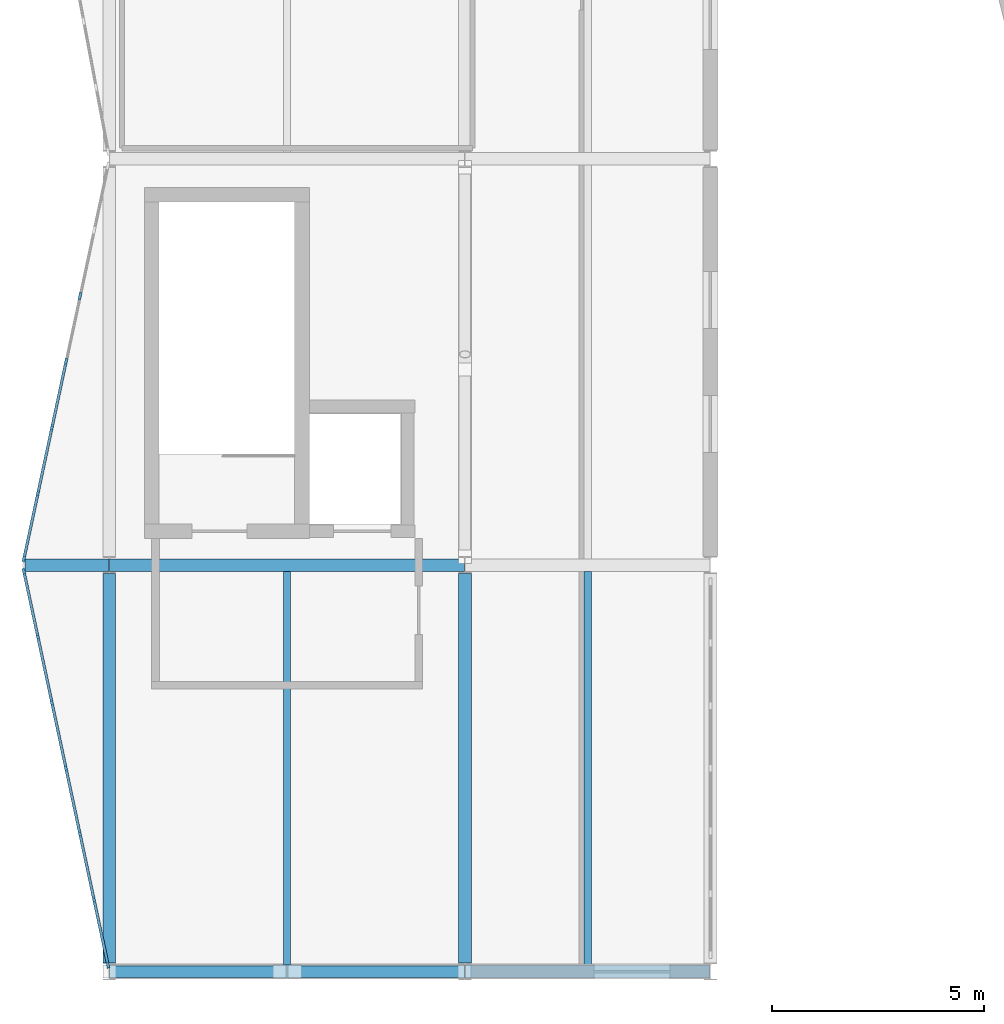
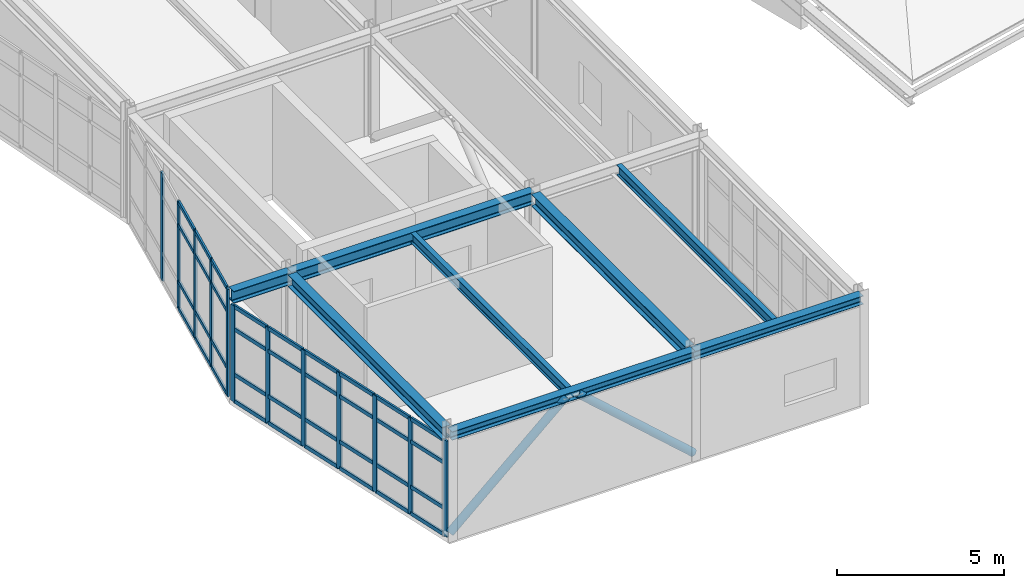
# One storey, part 6 of 47: 50 members, 8 beams, 2 elements without a shape of their own.
"""IFC4 building model written with IfcOpenShell, lengths in metres."""

from ifc_helpers import new_model, si_unit, direction, frame, origin, origin_2d, place, context, subcontext, project, spatial, rectangle, hollow_circle, i_section, extrude, material, layer, layer_set, material_profile, profile_set, type_object, element, aggregate, save


model = new_model("IFC4")

# Units and contexts
model_context = context("Model", 3, precision=1e-05, world=origin(), true_north=direction((0.0, 1.0)))
body_context = subcontext(model_context, "Body", "Model", "MODEL_VIEW")
ifc_project = project(units=[si_unit("LENGTHUNIT", "METRE"), si_unit("AREAUNIT", "SQUARE_METRE"), si_unit("VOLUMEUNIT", "CUBIC_METRE"), si_unit("PLANEANGLEUNIT", "RADIAN"), si_unit("MASSUNIT", "GRAM", prefix="KILO")], contexts=[model_context])

# Site, building, storey
site_placement = place(None, origin())
site = spatial("IfcSite", under=ifc_project, at=site_placement, CompositionType="ELEMENT")
building_placement = place(site_placement, origin())
building = spatial("IfcBuilding", under=site, at=building_placement, Name="Nordkorset Police Headquarters", CompositionType="ELEMENT")
storey_placement = place(building_placement, frame((0.0, 0.0, 22.050048828125)))
storey = spatial("IfcBuildingStorey", under=building, at=storey_placement, Name="L05", CompositionType="ELEMENT", Elevation=22.050048828125)

# Beams
ifc_material_1 = material(Name="Steel S355J2", Category="steel")
ifc_material_profile_1 = material_profile(ifc_material_1, i_section(OverallWidth=0.169921875, OverallDepth=0.360107421875, WebThickness=0.008056640625, FlangeThickness=0.0126953125, FilletRadius=0.01806640625, at=origin_2d()), Name="IPE 360")
ifc_profile_set_1 = profile_set([ifc_material_profile_1], Name="Steel S355J2")
beam_type_1 = type_object("IfcBeamType", Name="Beam_IPE_360", PredefinedType="BEAM", material=ifc_profile_set_1)
for number, where, z_axis, x_axis, name in (
    (1, (4.199951171875, 28.949951171875, 3.784912109375), (0.0, 1.0, 0.0), (-1.0, 0.0, 0.0), "Composite Floor Beam V3 L05 0-0-1"),
    (2, (11.300048828125, 28.949951171875, 3.784912109375), (0.0, 1.0, 0.0), (-1.0, 0.0, 0.0), "Composite Floor Beam V3 L05 1-0-1"),
):
    element("IfcBeam", number, at=place(storey_placement, frame(where, z_axis=z_axis, x_axis=x_axis)), inside=storey, type_object=beam_type_1, Name=name, PredefinedType="BEAM", context=body_context, shape_type="SweptSolid", body=[
        extrude(i_section(OverallWidth=0.169921875, OverallDepth=0.360107421875, WebThickness=0.008056640625, FlangeThickness=0.0126953125, FilletRadius=0.01806640625, at=origin_2d()), origin(), (0.0, 0.0, 1.0), 9.300048828125),
    ])

# Members
ifc_material_2 = material(Name="Steel S355J2", Category="steel")
ifc_material_profile_2 = material_profile(ifc_material_2, hollow_circle(Radius=0.136474609375, WallThickness=0.012451171875, at=origin_2d()), Name="CHS 273x12.5")
ifc_profile_set_2 = profile_set([ifc_material_profile_2], Name="Steel S355J2")
member_type_1 = type_object("IfcMemberType", Name="Brace_CHS_273x12.5", PredefinedType="BRACE", material=ifc_profile_set_2)
for number, where, z_axis, x_axis, name in (
    (3, (0.006591796875, 28.800048828125, 0.199951171875), (0.746246066893, 0.0, 0.66567019435), (0.0, 1.0, 0.0), "Lateral Chevron Brace BF-EXT-V3S L05 D1"),
    (4, (8.393310546875, 28.800048828125, 0.199951171875), (-0.746246066893, 0.0, 0.66567019435), (0.0, -1.0, 0.0), "Lateral Chevron Brace BF-EXT-V3S L05 D2"),
):
    element("IfcMember", number, at=place(storey_placement, frame(where, z_axis=z_axis, x_axis=x_axis)), inside=storey, type_object=member_type_1, Name=name, PredefinedType="BRACE", context=body_context, shape_type="SweptSolid", body=[
        extrude(hollow_circle(Radius=0.136474609375, WallThickness=0.012451171875, at=origin_2d()), origin(), (0.0, 0.0, 1.0), 5.378173828125),
    ])

# Curtain wall, members
ifc_material_3 = material(Name="Aluminium alloy AW-6060", Category="aluminium")
ifc_layer_1 = layer(ifc_material_3, 0.179931640625, Name="Aluminium alloy AW-6060")
ifc_layer_set_1 = layer_set([ifc_layer_1], Name="Aluminium alloy AW-6060")
curtain_wall_type_1 = type_object("IfcCurtainWallType", Name="CW_Unit_954x350", PredefinedType="USERDEFINED", material=ifc_layer_set_1)
curtain_wall_1_placement = place(storey_placement, origin())
curtain_wall_1 = element("IfcCurtainWall", 5, at=curtain_wall_1_placement, inside=storey, type_object=curtain_wall_type_1, Name="Unitised Curtain Wall L05 V3W-0", ObjectType="UNITISED CURTAIN WALL", PredefinedType="USERDEFINED")
ifc_material_4 = material(Name="Aluminium alloy AW-6060", Category="aluminium")
ifc_material_profile_3 = material_profile(ifc_material_4, rectangle(XDim=0.06494140625, YDim=0.179931640625, at=origin_2d()), Name="ALU MULL 65x180")
ifc_profile_set_3 = profile_set([ifc_material_profile_3], Name="Aluminium alloy AW-6060")
member_type_2 = type_object("IfcMemberType", Name="CW_Mullion_65x180", PredefinedType="MULLION", material=ifc_profile_set_3)
member_1_placement = place(storey_placement, frame((-0.0361328125, 28.96875, 0.0), z_axis=(0.0, 0.0, 1.0), x_axis=(-0.977951416289, -0.208832534289, 0.0)))
member_1 = element("IfcMember", 6, at=member_1_placement, type_object=member_type_2, Name="CW-63 mullion 1", PredefinedType="MULLION", context=body_context, shape_type="SweptSolid", body=[
    extrude(rectangle(XDim=0.06494140625, YDim=0.179931640625, at=origin_2d()), origin(), (0.0, 0.0, 1.0), 3.5048828125),
])
member_2_placement = place(storey_placement, frame((-0.361083984375, 30.4912109375, 0.0), z_axis=(0.0, 0.0, 1.0), x_axis=(-0.977951416289, -0.208832534289, 0.0)))
member_2 = element("IfcMember", 7, at=member_2_placement, type_object=member_type_2, Name="CW-63 mullion 2", PredefinedType="MULLION", context=body_context, shape_type="SweptSolid", body=[
    extrude(rectangle(XDim=0.06494140625, YDim=0.179931640625, at=origin_2d()), origin(), (0.0, 0.0, 1.0), 3.5048828125),
])
member_3_placement = place(storey_placement, frame((-0.693115234375, 32.045654296875, 0.0), z_axis=(0.0, 0.0, 1.0), x_axis=(-0.977951416289, -0.208832534289, 0.0)))
member_3 = element("IfcMember", 8, at=member_3_placement, type_object=member_type_2, Name="CW-63 mullion 3", PredefinedType="MULLION", context=body_context, shape_type="SweptSolid", body=[
    extrude(rectangle(XDim=0.06494140625, YDim=0.179931640625, at=origin_2d()), origin(), (0.0, 0.0, 1.0), 3.5048828125),
])
member_4_placement = place(storey_placement, frame((-1.02490234375, 33.60009765625, 0.0), z_axis=(0.0, 0.0, 1.0), x_axis=(-0.977951416289, -0.208832534289, 0.0)))
member_4 = element("IfcMember", 9, at=member_4_placement, type_object=member_type_2, Name="CW-63 mullion 4", PredefinedType="MULLION", context=body_context, shape_type="SweptSolid", body=[
    extrude(rectangle(XDim=0.06494140625, YDim=0.179931640625, at=origin_2d()), origin(), (0.0, 0.0, 1.0), 3.5048828125),
])
member_5_placement = place(storey_placement, frame((-1.35693359375, 35.154296875, 0.0), z_axis=(0.0, 0.0, 1.0), x_axis=(-0.977951416289, -0.208832534289, 0.0)))
member_5 = element("IfcMember", 10, at=member_5_placement, type_object=member_type_2, Name="CW-63 mullion 5", PredefinedType="MULLION", context=body_context, shape_type="SweptSolid", body=[
    extrude(rectangle(XDim=0.06494140625, YDim=0.179931640625, at=origin_2d()), origin(), (0.0, 0.0, 1.0), 3.5048828125),
])
member_6_placement = place(storey_placement, frame((-1.688720703125, 36.708740234375, 0.0), z_axis=(0.0, 0.0, 1.0), x_axis=(-0.977951416289, -0.208832534289, 0.0)))
member_6 = element("IfcMember", 11, at=member_6_placement, type_object=member_type_2, Name="CW-63 mullion 6", PredefinedType="MULLION", context=body_context, shape_type="SweptSolid", body=[
    extrude(rectangle(XDim=0.06494140625, YDim=0.179931640625, at=origin_2d()), origin(), (0.0, 0.0, 1.0), 3.5048828125),
])
member_7_placement = place(storey_placement, frame((-2.013916015625, 38.231201171875, 0.0), z_axis=(0.0, 0.0, 1.0), x_axis=(-0.977951416289, -0.208832534289, 0.0)))
member_7 = element("IfcMember", 12, at=member_7_placement, type_object=member_type_2, Name="CW-63 mullion 7", PredefinedType="MULLION", context=body_context, shape_type="SweptSolid", body=[
    extrude(rectangle(XDim=0.06494140625, YDim=0.179931640625, at=origin_2d()), origin(), (0.0, 0.0, 1.0), 3.5048828125),
])

ifc_material_5 = material(Name="Aluminium alloy AW-6060", Category="aluminium")
ifc_layer_2 = layer(ifc_material_5, 0.179931640625, Name="Aluminium alloy AW-6060")
ifc_layer_set_2 = layer_set([ifc_layer_2], Name="Aluminium alloy AW-6060")
curtain_wall_type_2 = type_object("IfcCurtainWallType", Name="CW_Unit_954x392", PredefinedType="USERDEFINED", material=ifc_layer_set_2)
curtain_wall_2_placement = place(storey_placement, origin())
curtain_wall_2 = element("IfcCurtainWall", 13, at=curtain_wall_2_placement, inside=storey, type_object=curtain_wall_type_2, Name="Unitised Curtain Wall L05 V3W-1", ObjectType="UNITISED CURTAIN WALL", PredefinedType="USERDEFINED")
member_8_placement = place(storey_placement, frame((-2.013916015625, 38.568603515625, 0.0), z_axis=(0.0, 0.0, 1.0), x_axis=(-0.977951416289, 0.208832534289, 0.0)))
member_8 = element("IfcMember", 14, at=member_8_placement, type_object=member_type_2, Name="CW-20 mullion 1", PredefinedType="MULLION", context=body_context, shape_type="SweptSolid", body=[
    extrude(rectangle(XDim=0.06494140625, YDim=0.179931640625, at=origin_2d()), origin(), (0.0, 0.0, 1.0), 3.919921875),
])
member_9_placement = place(storey_placement, frame((-1.688720703125, 40.09130859375, 0.0), z_axis=(0.0, 0.0, 1.0), x_axis=(-0.977951416289, 0.208832534289, 0.0)))
member_9 = element("IfcMember", 15, at=member_9_placement, type_object=member_type_2, Name="CW-20 mullion 2", PredefinedType="MULLION", context=body_context, shape_type="SweptSolid", body=[
    extrude(rectangle(XDim=0.06494140625, YDim=0.179931640625, at=origin_2d()), origin(), (0.0, 0.0, 1.0), 3.919921875),
])
member_10_placement = place(storey_placement, frame((-1.35693359375, 41.645751953125, 0.0), z_axis=(0.0, 0.0, 1.0), x_axis=(-0.977951416289, 0.208832534289, 0.0)))
member_10 = element("IfcMember", 16, at=member_10_placement, type_object=member_type_2, Name="CW-20 mullion 3", PredefinedType="MULLION", context=body_context, shape_type="SweptSolid", body=[
    extrude(rectangle(XDim=0.06494140625, YDim=0.179931640625, at=origin_2d()), origin(), (0.0, 0.0, 1.0), 3.919921875),
])
member_11_placement = place(storey_placement, frame((-1.02490234375, 43.199951171875, 0.0), z_axis=(0.0, 0.0, 1.0), x_axis=(-0.977951416289, 0.208832534289, 0.0)))
member_11 = element("IfcMember", 17, at=member_11_placement, type_object=member_type_2, Name="CW-20 mullion 4", PredefinedType="MULLION", context=body_context, shape_type="SweptSolid", body=[
    extrude(rectangle(XDim=0.06494140625, YDim=0.179931640625, at=origin_2d()), origin(), (0.0, 0.0, 1.0), 3.919921875),
])
member_12_placement = place(storey_placement, frame((-0.693115234375, 44.75439453125, 0.0), z_axis=(0.0, 0.0, 1.0), x_axis=(-0.977951416289, 0.208832534289, 0.0)))
member_12 = element("IfcMember", 18, at=member_12_placement, type_object=member_type_2, Name="CW-20 mullion 5", PredefinedType="MULLION", context=body_context, shape_type="SweptSolid", body=[
    extrude(rectangle(XDim=0.06494140625, YDim=0.179931640625, at=origin_2d()), origin(), (0.0, 0.0, 1.0), 3.919921875),
])

# Member
ifc_material_6 = material(Name="Aluminium alloy AW-6060", Category="aluminium")
ifc_material_profile_4 = material_profile(ifc_material_6, rectangle(XDim=0.06494140625, YDim=0.139892578125, at=origin_2d()), Name="ALU TRAN 65x140")
ifc_profile_set_4 = profile_set([ifc_material_profile_4], Name="Aluminium alloy AW-6060")
member_type_3 = type_object("IfcMemberType", Name="CW_Transom_65x140", PredefinedType="USERDEFINED", material=ifc_profile_set_4)
member_13_placement = place(storey_placement, frame((-0.042724609375, 29.00048828125, 0.032470703125), z_axis=(-0.208970278443, 0.977921992148, 0.0), x_axis=(-0.977921992148, -0.208970278443, 0.0)))
member_13 = element("IfcMember", 19, at=member_13_placement, type_object=member_type_3, Name="CW-63 transom 1.1", ObjectType="TRANSOM", PredefinedType="USERDEFINED", context=body_context, shape_type="SweptSolid", body=[
    extrude(rectangle(XDim=0.06494140625, YDim=0.139892578125, at=origin_2d()), origin(), (0.0, 0.0, 1.0), 1.491943359375),
])

member_14_placement = place(storey_placement, frame((-0.042724609375, 29.00048828125, 1.0), z_axis=(-0.208970278443, 0.977921992148, 0.0), x_axis=(-0.977921992148, -0.208970278443, 0.0)))
member_14 = element("IfcMember", 20, at=member_14_placement, type_object=member_type_3, Name="CW-63 transom 1.2", ObjectType="TRANSOM", PredefinedType="USERDEFINED", context=body_context, shape_type="SweptSolid", body=[
    extrude(rectangle(XDim=0.06494140625, YDim=0.139892578125, at=origin_2d()), origin(), (0.0, 0.0, 1.0), 1.491943359375),
])

member_15_placement = place(storey_placement, frame((-0.042724609375, 29.00048828125, 2.655029296875), z_axis=(-0.208970278443, 0.977921992148, 0.0), x_axis=(-0.977921992148, -0.208970278443, 0.0)))
member_15 = element("IfcMember", 21, at=member_15_placement, type_object=member_type_3, Name="CW-63 transom 1.3", ObjectType="TRANSOM", PredefinedType="USERDEFINED", context=body_context, shape_type="SweptSolid", body=[
    extrude(rectangle(XDim=0.06494140625, YDim=0.139892578125, at=origin_2d()), origin(), (0.0, 0.0, 1.0), 1.491943359375),
])

member_16_placement = place(storey_placement, frame((-0.042724609375, 29.00048828125, 3.472412109375), z_axis=(-0.208970278443, 0.977921992148, 0.0), x_axis=(-0.977921992148, -0.208970278443, 0.0)))
member_16 = element("IfcMember", 22, at=member_16_placement, type_object=member_type_3, Name="CW-63 transom 1.4", ObjectType="TRANSOM", PredefinedType="USERDEFINED", context=body_context, shape_type="SweptSolid", body=[
    extrude(rectangle(XDim=0.06494140625, YDim=0.139892578125, at=origin_2d()), origin(), (0.0, 0.0, 1.0), 1.491943359375),
])

member_17_placement = place(storey_placement, frame((-0.367919921875, 30.52294921875, 0.032470703125), z_axis=(-0.208818182896, 0.977954480787, 0.0), x_axis=(-0.977954480787, -0.208818182896, 0.0)))
member_17 = element("IfcMember", 23, at=member_17_placement, type_object=member_type_3, Name="CW-63 transom 2.1", ObjectType="TRANSOM", PredefinedType="USERDEFINED", context=body_context, shape_type="SweptSolid", body=[
    extrude(rectangle(XDim=0.06494140625, YDim=0.139892578125, at=origin_2d()), origin(), (0.0, 0.0, 1.0), 1.524658203125),
])

member_18_placement = place(storey_placement, frame((-0.367919921875, 30.52294921875, 1.0), z_axis=(-0.208818182896, 0.977954480787, 0.0), x_axis=(-0.977954480787, -0.208818182896, 0.0)))
member_18 = element("IfcMember", 24, at=member_18_placement, type_object=member_type_3, Name="CW-63 transom 2.2", ObjectType="TRANSOM", PredefinedType="USERDEFINED", context=body_context, shape_type="SweptSolid", body=[
    extrude(rectangle(XDim=0.06494140625, YDim=0.139892578125, at=origin_2d()), origin(), (0.0, 0.0, 1.0), 1.524658203125),
])

member_19_placement = place(storey_placement, frame((-0.367919921875, 30.52294921875, 2.655029296875), z_axis=(-0.208818182896, 0.977954480787, 0.0), x_axis=(-0.977954480787, -0.208818182896, 0.0)))
member_19 = element("IfcMember", 25, at=member_19_placement, type_object=member_type_3, Name="CW-63 transom 2.3", ObjectType="TRANSOM", PredefinedType="USERDEFINED", context=body_context, shape_type="SweptSolid", body=[
    extrude(rectangle(XDim=0.06494140625, YDim=0.139892578125, at=origin_2d()), origin(), (0.0, 0.0, 1.0), 1.524658203125),
])

member_20_placement = place(storey_placement, frame((-0.367919921875, 30.52294921875, 3.472412109375), z_axis=(-0.208818182896, 0.977954480787, 0.0), x_axis=(-0.977954480787, -0.208818182896, 0.0)))
member_20 = element("IfcMember", 26, at=member_20_placement, type_object=member_type_3, Name="CW-63 transom 2.4", ObjectType="TRANSOM", PredefinedType="USERDEFINED", context=body_context, shape_type="SweptSolid", body=[
    extrude(rectangle(XDim=0.06494140625, YDim=0.139892578125, at=origin_2d()), origin(), (0.0, 0.0, 1.0), 1.524658203125),
])

member_21_placement = place(storey_placement, frame((-0.699951171875, 32.077392578125, 0.032470703125), z_axis=(-0.208850890154, 0.977947496383, 0.0), x_axis=(-0.977947496383, -0.208850890154, 0.0)))
member_21 = element("IfcMember", 27, at=member_21_placement, type_object=member_type_3, Name="CW-63 transom 3.1", ObjectType="TRANSOM", PredefinedType="USERDEFINED", context=body_context, shape_type="SweptSolid", body=[
    extrude(rectangle(XDim=0.06494140625, YDim=0.139892578125, at=origin_2d()), origin(), (0.0, 0.0, 1.0), 1.5244140625),
])

member_22_placement = place(storey_placement, frame((-0.699951171875, 32.077392578125, 1.0), z_axis=(-0.208850890154, 0.977947496383, 0.0), x_axis=(-0.977947496383, -0.208850890154, 0.0)))
member_22 = element("IfcMember", 28, at=member_22_placement, type_object=member_type_3, Name="CW-63 transom 3.2", ObjectType="TRANSOM", PredefinedType="USERDEFINED", context=body_context, shape_type="SweptSolid", body=[
    extrude(rectangle(XDim=0.06494140625, YDim=0.139892578125, at=origin_2d()), origin(), (0.0, 0.0, 1.0), 1.5244140625),
])

member_23_placement = place(storey_placement, frame((-0.699951171875, 32.077392578125, 2.655029296875), z_axis=(-0.208850890154, 0.977947496383, 0.0), x_axis=(-0.977947496383, -0.208850890154, 0.0)))
member_23 = element("IfcMember", 29, at=member_23_placement, type_object=member_type_3, Name="CW-63 transom 3.3", ObjectType="TRANSOM", PredefinedType="USERDEFINED", context=body_context, shape_type="SweptSolid", body=[
    extrude(rectangle(XDim=0.06494140625, YDim=0.139892578125, at=origin_2d()), origin(), (0.0, 0.0, 1.0), 1.5244140625),
])

member_24_placement = place(storey_placement, frame((-0.699951171875, 32.077392578125, 3.472412109375), z_axis=(-0.208850890154, 0.977947496383, 0.0), x_axis=(-0.977947496383, -0.208850890154, 0.0)))
member_24 = element("IfcMember", 30, at=member_24_placement, type_object=member_type_3, Name="CW-63 transom 3.4", ObjectType="TRANSOM", PredefinedType="USERDEFINED", context=body_context, shape_type="SweptSolid", body=[
    extrude(rectangle(XDim=0.06494140625, YDim=0.139892578125, at=origin_2d()), origin(), (0.0, 0.0, 1.0), 1.5244140625),
])

member_25_placement = place(storey_placement, frame((-1.03173828125, 33.6318359375, 0.032470703125), z_axis=(-0.208850890154, 0.977947496383, 0.0), x_axis=(-0.977947496383, -0.208850890154, 0.0)))
member_25 = element("IfcMember", 31, at=member_25_placement, type_object=member_type_3, Name="CW-63 transom 4.1", ObjectType="TRANSOM", PredefinedType="USERDEFINED", context=body_context, shape_type="SweptSolid", body=[
    extrude(rectangle(XDim=0.06494140625, YDim=0.139892578125, at=origin_2d()), origin(), (0.0, 0.0, 1.0), 1.5244140625),
])

member_26_placement = place(storey_placement, frame((-1.03173828125, 33.6318359375, 1.0), z_axis=(-0.208850890154, 0.977947496383, 0.0), x_axis=(-0.977947496383, -0.208850890154, 0.0)))
member_26 = element("IfcMember", 32, at=member_26_placement, type_object=member_type_3, Name="CW-63 transom 4.2", ObjectType="TRANSOM", PredefinedType="USERDEFINED", context=body_context, shape_type="SweptSolid", body=[
    extrude(rectangle(XDim=0.06494140625, YDim=0.139892578125, at=origin_2d()), origin(), (0.0, 0.0, 1.0), 1.5244140625),
])

member_27_placement = place(storey_placement, frame((-1.03173828125, 33.6318359375, 2.655029296875), z_axis=(-0.208850890154, 0.977947496383, 0.0), x_axis=(-0.977947496383, -0.208850890154, 0.0)))
member_27 = element("IfcMember", 33, at=member_27_placement, type_object=member_type_3, Name="CW-63 transom 4.3", ObjectType="TRANSOM", PredefinedType="USERDEFINED", context=body_context, shape_type="SweptSolid", body=[
    extrude(rectangle(XDim=0.06494140625, YDim=0.139892578125, at=origin_2d()), origin(), (0.0, 0.0, 1.0), 1.5244140625),
])

member_28_placement = place(storey_placement, frame((-1.03173828125, 33.6318359375, 3.472412109375), z_axis=(-0.208850890154, 0.977947496383, 0.0), x_axis=(-0.977947496383, -0.208850890154, 0.0)))
member_28 = element("IfcMember", 34, at=member_28_placement, type_object=member_type_3, Name="CW-63 transom 4.4", ObjectType="TRANSOM", PredefinedType="USERDEFINED", context=body_context, shape_type="SweptSolid", body=[
    extrude(rectangle(XDim=0.06494140625, YDim=0.139892578125, at=origin_2d()), origin(), (0.0, 0.0, 1.0), 1.5244140625),
])

member_29_placement = place(storey_placement, frame((-1.36376953125, 35.18603515625, 0.032470703125), z_axis=(-0.208818182896, 0.977954480787, 0.0), x_axis=(-0.977954480787, -0.208818182896, 0.0)))
member_29 = element("IfcMember", 35, at=member_29_placement, type_object=member_type_3, Name="CW-63 transom 5.1", ObjectType="TRANSOM", PredefinedType="USERDEFINED", context=body_context, shape_type="SweptSolid", body=[
    extrude(rectangle(XDim=0.06494140625, YDim=0.139892578125, at=origin_2d()), origin(), (0.0, 0.0, 1.0), 1.524658203125),
])

member_30_placement = place(storey_placement, frame((-1.36376953125, 35.18603515625, 1.0), z_axis=(-0.208818182896, 0.977954480787, 0.0), x_axis=(-0.977954480787, -0.208818182896, 0.0)))
member_30 = element("IfcMember", 36, at=member_30_placement, type_object=member_type_3, Name="CW-63 transom 5.2", ObjectType="TRANSOM", PredefinedType="USERDEFINED", context=body_context, shape_type="SweptSolid", body=[
    extrude(rectangle(XDim=0.06494140625, YDim=0.139892578125, at=origin_2d()), origin(), (0.0, 0.0, 1.0), 1.524658203125),
])

member_31_placement = place(storey_placement, frame((-1.36376953125, 35.18603515625, 2.655029296875), z_axis=(-0.208818182896, 0.977954480787, 0.0), x_axis=(-0.977954480787, -0.208818182896, 0.0)))
member_31 = element("IfcMember", 37, at=member_31_placement, type_object=member_type_3, Name="CW-63 transom 5.3", ObjectType="TRANSOM", PredefinedType="USERDEFINED", context=body_context, shape_type="SweptSolid", body=[
    extrude(rectangle(XDim=0.06494140625, YDim=0.139892578125, at=origin_2d()), origin(), (0.0, 0.0, 1.0), 1.524658203125),
])

member_32_placement = place(storey_placement, frame((-1.36376953125, 35.18603515625, 3.472412109375), z_axis=(-0.208818182896, 0.977954480787, 0.0), x_axis=(-0.977954480787, -0.208818182896, 0.0)))
member_32 = element("IfcMember", 38, at=member_32_placement, type_object=member_type_3, Name="CW-63 transom 5.4", ObjectType="TRANSOM", PredefinedType="USERDEFINED", context=body_context, shape_type="SweptSolid", body=[
    extrude(rectangle(XDim=0.06494140625, YDim=0.139892578125, at=origin_2d()), origin(), (0.0, 0.0, 1.0), 1.524658203125),
])

member_33_placement = place(storey_placement, frame((-1.695556640625, 36.740478515625, 0.032470703125), z_axis=(-0.208813774846, 0.977955422008, 0.0), x_axis=(-0.977955422008, -0.208813774846, 0.0)))
member_33 = element("IfcMember", 39, at=member_33_placement, type_object=member_type_3, Name="CW-63 transom 6.1", ObjectType="TRANSOM", PredefinedType="USERDEFINED", context=body_context, shape_type="SweptSolid", body=[
    extrude(rectangle(XDim=0.06494140625, YDim=0.139892578125, at=origin_2d()), origin(), (0.0, 0.0, 1.0), 1.491943359375),
])

member_34_placement = place(storey_placement, frame((-1.695556640625, 36.740478515625, 1.0), z_axis=(-0.208813774846, 0.977955422008, 0.0), x_axis=(-0.977955422008, -0.208813774846, 0.0)))
member_34 = element("IfcMember", 40, at=member_34_placement, type_object=member_type_3, Name="CW-63 transom 6.2", ObjectType="TRANSOM", PredefinedType="USERDEFINED", context=body_context, shape_type="SweptSolid", body=[
    extrude(rectangle(XDim=0.06494140625, YDim=0.139892578125, at=origin_2d()), origin(), (0.0, 0.0, 1.0), 1.491943359375),
])

member_35_placement = place(storey_placement, frame((-1.695556640625, 36.740478515625, 2.655029296875), z_axis=(-0.208813774846, 0.977955422008, 0.0), x_axis=(-0.977955422008, -0.208813774846, 0.0)))
member_35 = element("IfcMember", 41, at=member_35_placement, type_object=member_type_3, Name="CW-63 transom 6.3", ObjectType="TRANSOM", PredefinedType="USERDEFINED", context=body_context, shape_type="SweptSolid", body=[
    extrude(rectangle(XDim=0.06494140625, YDim=0.139892578125, at=origin_2d()), origin(), (0.0, 0.0, 1.0), 1.491943359375),
])

member_36_placement = place(storey_placement, frame((-1.695556640625, 36.740478515625, 3.472412109375), z_axis=(-0.208813774846, 0.977955422008, 0.0), x_axis=(-0.977955422008, -0.208813774846, 0.0)))
member_36 = element("IfcMember", 42, at=member_36_placement, type_object=member_type_3, Name="CW-63 transom 6.4", ObjectType="TRANSOM", PredefinedType="USERDEFINED", context=body_context, shape_type="SweptSolid", body=[
    extrude(rectangle(XDim=0.06494140625, YDim=0.139892578125, at=origin_2d()), origin(), (0.0, 0.0, 1.0), 1.491943359375),
])

aggregate(curtain_wall_1, [member_1, member_2, member_3, member_4, member_5, member_6, member_7, member_13, member_14, member_15, member_16, member_17, member_18, member_19, member_20, member_21, member_22, member_23, member_24, member_25, member_26, member_27, member_28, member_29, member_30, member_31, member_32, member_33, member_34, member_35, member_36])

member_37_placement = place(storey_placement, frame((-2.007080078125, 38.6005859375, 0.032470703125), z_axis=(0.208813774846, 0.977955422008, 0.0), x_axis=(-0.977955422008, 0.208813774846, 0.0)))
member_37 = element("IfcMember", 43, at=member_37_placement, type_object=member_type_3, Name="CW-20 transom 1.1", ObjectType="TRANSOM", PredefinedType="USERDEFINED", context=body_context, shape_type="SweptSolid", body=[
    extrude(rectangle(XDim=0.06494140625, YDim=0.139892578125, at=origin_2d()), origin(), (0.0, 0.0, 1.0), 1.491943359375),
])

member_38_placement = place(storey_placement, frame((-2.007080078125, 38.6005859375, 1.0), z_axis=(0.208813774846, 0.977955422008, 0.0), x_axis=(-0.977955422008, 0.208813774846, 0.0)))
member_38 = element("IfcMember", 44, at=member_38_placement, type_object=member_type_3, Name="CW-20 transom 1.2", ObjectType="TRANSOM", PredefinedType="USERDEFINED", context=body_context, shape_type="SweptSolid", body=[
    extrude(rectangle(XDim=0.06494140625, YDim=0.139892578125, at=origin_2d()), origin(), (0.0, 0.0, 1.0), 1.491943359375),
])

member_39_placement = place(storey_placement, frame((-2.007080078125, 38.6005859375, 3.070068359375), z_axis=(0.208813774846, 0.977955422008, 0.0), x_axis=(-0.977955422008, 0.208813774846, 0.0)))
member_39 = element("IfcMember", 45, at=member_39_placement, type_object=member_type_3, Name="CW-20 transom 1.3", ObjectType="TRANSOM", PredefinedType="USERDEFINED", context=body_context, shape_type="SweptSolid", body=[
    extrude(rectangle(XDim=0.06494140625, YDim=0.139892578125, at=origin_2d()), origin(), (0.0, 0.0, 1.0), 1.491943359375),
])

member_40_placement = place(storey_placement, frame((-2.007080078125, 38.6005859375, 3.887451171875), z_axis=(0.208813774846, 0.977955422008, 0.0), x_axis=(-0.977955422008, 0.208813774846, 0.0)))
member_40 = element("IfcMember", 46, at=member_40_placement, type_object=member_type_3, Name="CW-20 transom 1.4", ObjectType="TRANSOM", PredefinedType="USERDEFINED", context=body_context, shape_type="SweptSolid", body=[
    extrude(rectangle(XDim=0.06494140625, YDim=0.139892578125, at=origin_2d()), origin(), (0.0, 0.0, 1.0), 1.491943359375),
])

member_41_placement = place(storey_placement, frame((-1.68212890625, 40.123046875, 0.032470703125), z_axis=(0.208850890154, 0.977947496383, 0.0), x_axis=(-0.977947496383, 0.208850890154, 0.0)))
member_41 = element("IfcMember", 47, at=member_41_placement, type_object=member_type_3, Name="CW-20 transom 2.1", ObjectType="TRANSOM", PredefinedType="USERDEFINED", context=body_context, shape_type="SweptSolid", body=[
    extrude(rectangle(XDim=0.06494140625, YDim=0.139892578125, at=origin_2d()), origin(), (0.0, 0.0, 1.0), 1.5244140625),
])

member_42_placement = place(storey_placement, frame((-1.68212890625, 40.123046875, 1.0), z_axis=(0.208850890154, 0.977947496383, 0.0), x_axis=(-0.977947496383, 0.208850890154, 0.0)))
member_42 = element("IfcMember", 48, at=member_42_placement, type_object=member_type_3, Name="CW-20 transom 2.2", ObjectType="TRANSOM", PredefinedType="USERDEFINED", context=body_context, shape_type="SweptSolid", body=[
    extrude(rectangle(XDim=0.06494140625, YDim=0.139892578125, at=origin_2d()), origin(), (0.0, 0.0, 1.0), 1.5244140625),
])

member_43_placement = place(storey_placement, frame((-1.68212890625, 40.123046875, 3.070068359375), z_axis=(0.208850890154, 0.977947496383, 0.0), x_axis=(-0.977947496383, 0.208850890154, 0.0)))
member_43 = element("IfcMember", 49, at=member_43_placement, type_object=member_type_3, Name="CW-20 transom 2.3", ObjectType="TRANSOM", PredefinedType="USERDEFINED", context=body_context, shape_type="SweptSolid", body=[
    extrude(rectangle(XDim=0.06494140625, YDim=0.139892578125, at=origin_2d()), origin(), (0.0, 0.0, 1.0), 1.5244140625),
])

member_44_placement = place(storey_placement, frame((-1.68212890625, 40.123046875, 3.887451171875), z_axis=(0.208850890154, 0.977947496383, 0.0), x_axis=(-0.977947496383, 0.208850890154, 0.0)))
member_44 = element("IfcMember", 50, at=member_44_placement, type_object=member_type_3, Name="CW-20 transom 2.4", ObjectType="TRANSOM", PredefinedType="USERDEFINED", context=body_context, shape_type="SweptSolid", body=[
    extrude(rectangle(XDim=0.06494140625, YDim=0.139892578125, at=origin_2d()), origin(), (0.0, 0.0, 1.0), 1.5244140625),
])

member_45_placement = place(storey_placement, frame((-1.35009765625, 41.677490234375, 0.032470703125), z_axis=(0.208850890154, 0.977947496383, 0.0), x_axis=(-0.977947496383, 0.208850890154, 0.0)))
member_45 = element("IfcMember", 51, at=member_45_placement, type_object=member_type_3, Name="CW-20 transom 3.1", ObjectType="TRANSOM", PredefinedType="USERDEFINED", context=body_context, shape_type="SweptSolid", body=[
    extrude(rectangle(XDim=0.06494140625, YDim=0.139892578125, at=origin_2d()), origin(), (0.0, 0.0, 1.0), 1.5244140625),
])

member_46_placement = place(storey_placement, frame((-1.35009765625, 41.677490234375, 1.0), z_axis=(0.208850890154, 0.977947496383, 0.0), x_axis=(-0.977947496383, 0.208850890154, 0.0)))
member_46 = element("IfcMember", 52, at=member_46_placement, type_object=member_type_3, Name="CW-20 transom 3.2", ObjectType="TRANSOM", PredefinedType="USERDEFINED", context=body_context, shape_type="SweptSolid", body=[
    extrude(rectangle(XDim=0.06494140625, YDim=0.139892578125, at=origin_2d()), origin(), (0.0, 0.0, 1.0), 1.5244140625),
])

member_47_placement = place(storey_placement, frame((-1.35009765625, 41.677490234375, 3.070068359375), z_axis=(0.208850890154, 0.977947496383, 0.0), x_axis=(-0.977947496383, 0.208850890154, 0.0)))
member_47 = element("IfcMember", 53, at=member_47_placement, type_object=member_type_3, Name="CW-20 transom 3.3", ObjectType="TRANSOM", PredefinedType="USERDEFINED", context=body_context, shape_type="SweptSolid", body=[
    extrude(rectangle(XDim=0.06494140625, YDim=0.139892578125, at=origin_2d()), origin(), (0.0, 0.0, 1.0), 1.5244140625),
])

member_48_placement = place(storey_placement, frame((-1.35009765625, 41.677490234375, 3.887451171875), z_axis=(0.208850890154, 0.977947496383, 0.0), x_axis=(-0.977947496383, 0.208850890154, 0.0)))
member_48 = element("IfcMember", 54, at=member_48_placement, type_object=member_type_3, Name="CW-20 transom 3.4", ObjectType="TRANSOM", PredefinedType="USERDEFINED", context=body_context, shape_type="SweptSolid", body=[
    extrude(rectangle(XDim=0.06494140625, YDim=0.139892578125, at=origin_2d()), origin(), (0.0, 0.0, 1.0), 1.5244140625),
])

aggregate(curtain_wall_2, [member_8, member_9, member_10, member_11, member_12, member_37, member_38, member_39, member_40, member_41, member_42, member_43, member_44, member_45, member_46, member_47, member_48])

# Beams
ifc_material_7 = material(Name="Steel S355J2", Category="steel")
ifc_material_profile_5 = material_profile(ifc_material_7, i_section(OverallWidth=0.300048828125, OverallDepth=0.43994140625, WebThickness=0.011474609375, FlangeThickness=0.02099609375, FilletRadius=0.027099609375, at=origin_2d()), Name="HEA 450")
ifc_profile_set_5 = profile_set([ifc_material_profile_5], Name="Steel S355J2")
beam_type_2 = type_object("IfcBeamType", Name="Girder_HEA_450", PredefinedType="USERDEFINED", material=ifc_profile_set_5)
beam_1_placement = place(storey_placement, frame((0.006591796875, 38.39990234375, 3.744873046875), z_axis=(1.0, 0.0, 0.0), x_axis=(0.0, 1.0, 0.0)))
element("IfcBeam", 55, at=beam_1_placement, inside=storey, type_object=beam_type_2, Name="Girder V3 L05 GX-1-0", ObjectType="GIRDER", PredefinedType="USERDEFINED", context=body_context, shape_type="SweptSolid", body=[
    extrude(i_section(OverallWidth=0.300048828125, OverallDepth=0.43994140625, WebThickness=0.011474609375, FlangeThickness=0.02099609375, FilletRadius=0.027099609375, at=origin_2d()), origin(), (0.0, 0.0, 1.0), 8.38671875),
])
for number, where, z_axis, x_axis, name in (
    (56, (0.0, 29.0, 3.744873046875), (0.0, 1.0, 0.0), (-1.0, 0.0, 0.0), "Girder V3 L05 GY-0-0"),
    (57, (8.39990234375, 29.0, 3.744873046875), (0.0, 1.0, 0.0), (-1.0, 0.0, 0.0), "Girder V3 L05 GY-1-0"),
):
    element("IfcBeam", number, at=place(storey_placement, frame(where, z_axis=z_axis, x_axis=x_axis)), inside=storey, type_object=beam_type_2, Name=name, ObjectType="GIRDER", PredefinedType="USERDEFINED", context=body_context, shape_type="SweptSolid", body=[
        extrude(i_section(OverallWidth=0.300048828125, OverallDepth=0.43994140625, WebThickness=0.011474609375, FlangeThickness=0.02099609375, FilletRadius=0.027099609375, at=origin_2d()), origin(), (0.0, 0.0, 1.0), 9.199951171875),
    ])
beam_2_placement = place(storey_placement, frame((-0.006591796875, 38.39990234375, 3.744873046875), z_axis=(-1.0, 0.0, 0.0), x_axis=(0.0, -1.0, 0.0)))
element("IfcBeam", 58, at=beam_2_placement, inside=storey, type_object=beam_type_2, Name="Sawtooth Facade Outrigger V3 L05 38", ObjectType="GIRDER", PredefinedType="USERDEFINED", context=body_context, shape_type="SweptSolid", body=[
    extrude(i_section(OverallWidth=0.300048828125, OverallDepth=0.43994140625, WebThickness=0.011474609375, FlangeThickness=0.02099609375, FilletRadius=0.027099609375, at=origin_2d()), origin(), (0.0, 0.0, 1.0), 1.9833984375),
])
ifc_material_8 = material(Name="Steel S355J2", Category="steel")
ifc_material_profile_6 = material_profile(ifc_material_8, i_section(OverallWidth=0.300048828125, OverallDepth=0.31005859375, WebThickness=0.009033203125, FlangeThickness=0.015380859375, FilletRadius=0.027099609375, at=origin_2d()), Name="HEA 320")
ifc_profile_set_6 = profile_set([ifc_material_profile_6], Name="Steel S355J2")
beam_type_3 = type_object("IfcBeamType", Name="Spandrel_HEA_320", PredefinedType="SPANDREL", material=ifc_profile_set_6)
beam_3_placement = place(storey_placement, frame((0.006591796875, 28.800048828125, 3.81005859375), z_axis=(1.0, 0.0, 0.0), x_axis=(0.0, 1.0, 0.0)))
element("IfcBeam", 59, at=beam_3_placement, inside=storey, type_object=beam_type_3, Name="Girder V3 L05 GX-0-0", PredefinedType="SPANDREL", context=body_context, shape_type="SweptSolid", body=[
    extrude(i_section(OverallWidth=0.300048828125, OverallDepth=0.31005859375, WebThickness=0.009033203125, FlangeThickness=0.015380859375, FilletRadius=0.027099609375, at=origin_2d()), origin(), (0.0, 0.0, 1.0), 8.38671875),
])
beam_4_placement = place(storey_placement, frame((8.40673828125, 28.800048828125, 3.81005859375), z_axis=(1.0, 0.0, 0.0), x_axis=(0.0, 1.0, 0.0)))
element("IfcBeam", 60, at=beam_4_placement, inside=storey, type_object=beam_type_3, Name="Girder V3 L05 GX-0-1", PredefinedType="SPANDREL", context=body_context, shape_type="SweptSolid", body=[
    extrude(i_section(OverallWidth=0.300048828125, OverallDepth=0.31005859375, WebThickness=0.009033203125, FlangeThickness=0.015380859375, FilletRadius=0.027099609375, at=origin_2d()), origin(), (0.0, 0.0, 1.0), 5.78662109375),
])

save(model, "model.ifc")
